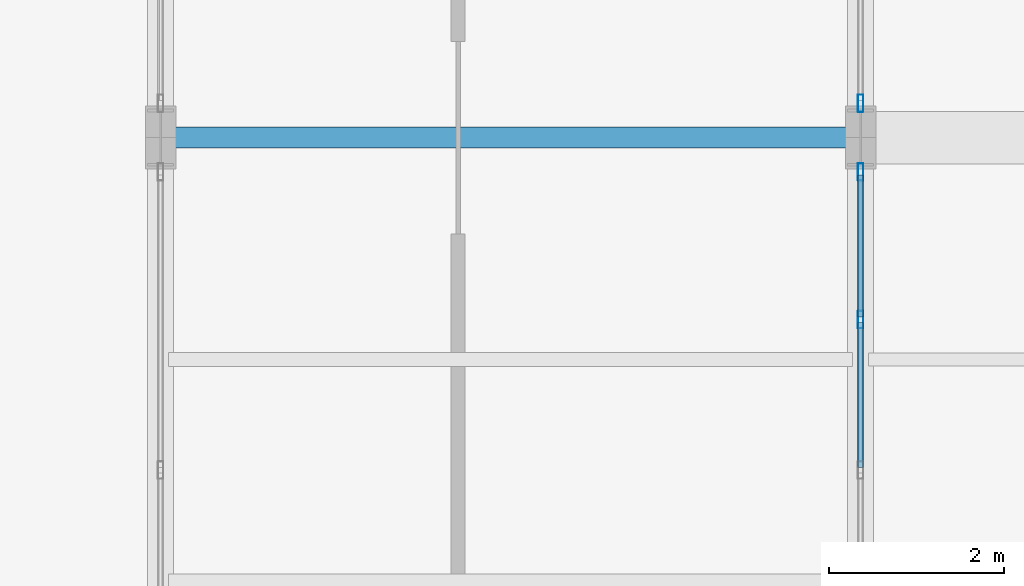
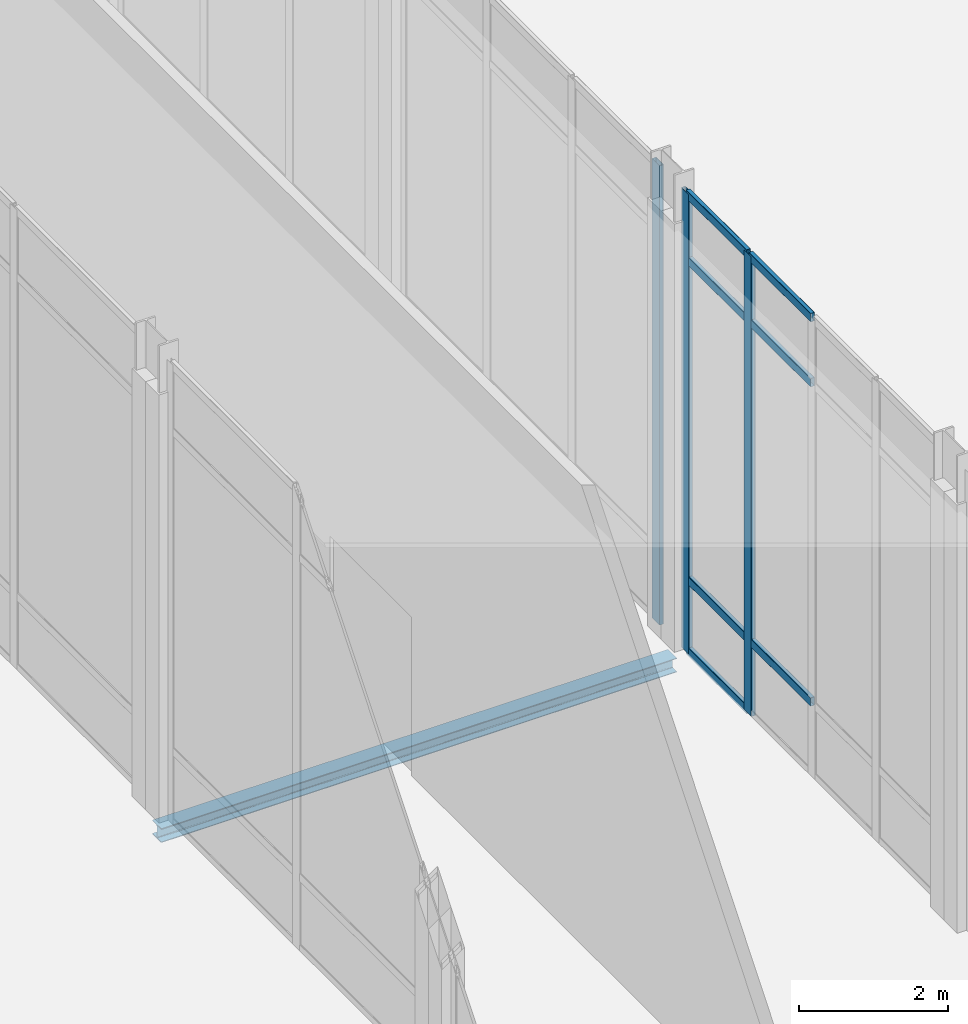
# One storey, part 71 of 176: 10 members, 1 beam, 2 elements without a shape of their own.
"""IFC4 building model written with IfcOpenShell, lengths in metres."""

from ifc_helpers import new_model, si_unit, direction, frame, origin, origin_2d, place, context, subcontext, project, spatial, hollow_rectangle, i_section, extrude, material, layer, layer_set, material_profile, profile_set, type_object, element, aggregate, save


model = new_model("IFC4")

# Units and contexts
model_context = context("Model", 3, precision=1e-05, world=origin(), true_north=direction((0.0, 1.0)))
body_context = subcontext(model_context, "Body", "Model", "MODEL_VIEW")
ifc_project = project(units=[si_unit("LENGTHUNIT", "METRE"), si_unit("AREAUNIT", "SQUARE_METRE"), si_unit("VOLUMEUNIT", "CUBIC_METRE"), si_unit("PLANEANGLEUNIT", "RADIAN"), si_unit("MASSUNIT", "GRAM", prefix="KILO")], contexts=[model_context])

# Site, building, storey
site_placement = place(None, origin())
site = spatial("IfcSite", under=ifc_project, at=site_placement, CompositionType="ELEMENT")
building_placement = place(site_placement, origin())
building = spatial("IfcBuilding", under=site, at=building_placement, Name="Vekula Escarpment Museum", CompositionType="ELEMENT")
storey_placement = place(building_placement, origin())
storey = spatial("IfcBuildingStorey", under=building, at=storey_placement, Name="L01", CompositionType="ELEMENT", Elevation=0.0)

# Beam
ifc_material_1 = material(Name="Steel S355", Category="steel")
ifc_material_profile_1 = material_profile(ifc_material_1, i_section(OverallWidth=0.239990234375, OverallDepth=0.22998046875, WebThickness=0.007568359375, FlangeThickness=0.011962890625, FilletRadius=0.02099609375, at=origin_2d()), Name="HEA 240")
ifc_profile_set_1 = profile_set([ifc_material_profile_1], Name="Steel S355")
beam_type = type_object("IfcBeamType", Name="BM-SPAN-HEA240", PredefinedType="SPANDREL", material=ifc_profile_set_1)
beam_placement = place(storey_placement, frame((94.0, 105.60009765625, -0.4150390625), z_axis=(1.0, 0.0, 0.0), x_axis=(0.0, 1.0, 0.0)))
element("IfcBeam", 1, at=beam_placement, inside=storey, type_object=beam_type, Name="Beam X L01 0296", PredefinedType="SPANDREL", context=body_context, shape_type="SweptSolid", body=[
    extrude(i_section(OverallWidth=0.239990234375, OverallDepth=0.22998046875, WebThickness=0.007568359375, FlangeThickness=0.011962890625, FilletRadius=0.02099609375, at=origin_2d()), origin(), (0.0, 0.0, 1.0), 8.0),
])

# Curtain wall, members
ifc_material_2 = material(Name="Aluminium thermally broken framing", Category="aluminium")
ifc_layer_1 = layer(ifc_material_2, 0.14990234375)
ifc_layer_set_1 = layer_set([ifc_layer_1], Name="Aluminium thermally broken framing")
curtain_wall_type_1 = type_object("IfcCurtainWallType", Name="CW-SYS-09", PredefinedType="NOTDEFINED", material=ifc_layer_set_1)
curtain_wall_1_placement = place(storey_placement, origin())
curtain_wall_1 = element("IfcCurtainWall", 2, at=curtain_wall_1_placement, inside=storey, type_object=curtain_wall_type_1, Name="Curtain Wall CW-L01-029", PredefinedType="NOTDEFINED")
ifc_material_3 = material(Name="Aluminium anodized mullion", Category="aluminium")
ifc_material_profile_2 = material_profile(ifc_material_3, hollow_rectangle(XDim=0.06494140625, YDim=0.199951171875, WallThickness=0.00390625, InnerFilletRadius=0.00390625, OuterFilletRadius=0.008056640625, at=origin_2d()), Name="ALU 200x65x4")
ifc_profile_set_2 = profile_set([ifc_material_profile_2], Name="Aluminium anodized mullion")
member_type_1 = type_object("IfcMemberType", Name="CW-MUL-200", PredefinedType="MULLION", material=ifc_profile_set_2)
member_1_placement = place(storey_placement, frame((102.0, 103.52001953125, 0.0), z_axis=(0.0, 0.0, 1.0), x_axis=(-1.0, 0.0, 0.0)))
member_1 = element("IfcMember", 3, at=member_1_placement, type_object=member_type_1, Name="CW-09 mullion 4", PredefinedType="MULLION", context=body_context, shape_type="SweptSolid", body=[
    extrude(hollow_rectangle(XDim=0.06494140625, YDim=0.199951171875, WallThickness=0.00390625, InnerFilletRadius=0.00390625, OuterFilletRadius=0.008056640625, at=origin_2d()), origin(), (0.0, 0.0, 1.0), 7.5400390625),
])
member_2_placement = place(storey_placement, frame((102.0, 105.20751953125, 0.0), z_axis=(0.0, 0.0, 1.0), x_axis=(-1.0, 0.0, 0.0)))
member_2 = element("IfcMember", 4, at=member_2_placement, type_object=member_type_1, Name="CW-09 mullion 5", PredefinedType="MULLION", context=body_context, shape_type="SweptSolid", body=[
    extrude(hollow_rectangle(XDim=0.06494140625, YDim=0.199951171875, WallThickness=0.00390625, InnerFilletRadius=0.00390625, OuterFilletRadius=0.008056640625, at=origin_2d()), origin(), (0.0, 0.0, 1.0), 7.5400390625),
])

# Curtain wall, member
ifc_material_4 = material(Name="Aluminium thermally broken framing", Category="aluminium")
ifc_layer_2 = layer(ifc_material_4, 0.169921875)
ifc_layer_set_2 = layer_set([ifc_layer_2], Name="Aluminium thermally broken framing")
curtain_wall_type_2 = type_object("IfcCurtainWallType", Name="CW-SYS-10", PredefinedType="NOTDEFINED", material=ifc_layer_set_2)
curtain_wall_2_placement = place(storey_placement, origin())
curtain_wall_2 = element("IfcCurtainWall", 5, at=curtain_wall_2_placement, inside=storey, type_object=curtain_wall_type_2, Name="Curtain Wall CW-L01-030", PredefinedType="NOTDEFINED")
member_3_placement = place(storey_placement, frame((102.0, 105.992431640625, 0.0), z_axis=(0.0, 0.0, 1.0), x_axis=(-1.0, 0.0, 0.0)))
member_3 = element("IfcMember", 6, at=member_3_placement, type_object=member_type_1, Name="CW-10 mullion 1", PredefinedType="MULLION", context=body_context, shape_type="SweptSolid", body=[
    extrude(hollow_rectangle(XDim=0.06494140625, YDim=0.199951171875, WallThickness=0.00390625, InnerFilletRadius=0.00390625, OuterFilletRadius=0.008056640625, at=origin_2d()), origin(), (0.0, 0.0, 1.0), 7.5400390625),
])
aggregate(curtain_wall_2, [member_3])

# Member
ifc_material_5 = material(Name="Aluminium anodized transom", Category="aluminium")
ifc_material_profile_3 = material_profile(ifc_material_5, hollow_rectangle(XDim=0.06494140625, YDim=0.139892578125, WallThickness=0.00390625, InnerFilletRadius=0.00390625, OuterFilletRadius=0.008056640625, at=origin_2d()), Name="ALU 140x65x4")
ifc_profile_set_3 = profile_set([ifc_material_profile_3], Name="Aluminium anodized transom")
member_type_2 = type_object("IfcMemberType", Name="CW-TRN-140", PredefinedType="USERDEFINED", material=ifc_profile_set_3)
member_4_placement = place(storey_placement, frame((102.0, 101.83251953125, 1.199951171875), z_axis=(0.0, 1.0, 0.0), x_axis=(-1.0, 0.0, 0.0)))
member_4 = element("IfcMember", 7, at=member_4_placement, type_object=member_type_2, Name="CW-09 transom 3.2", ObjectType="TRANSOM", PredefinedType="USERDEFINED", context=body_context, shape_type="SweptSolid", body=[
    extrude(hollow_rectangle(XDim=0.06494140625, YDim=0.139892578125, WallThickness=0.00390625, InnerFilletRadius=0.00390625, OuterFilletRadius=0.008056640625, at=origin_2d()), origin(), (0.0, 0.0, 1.0), 1.655029296875),
])

member_5_placement = place(storey_placement, frame((102.0, 101.83251953125, 6.43994140625), z_axis=(0.0, 1.0, 0.0), x_axis=(-1.0, 0.0, 0.0)))
member_5 = element("IfcMember", 8, at=member_5_placement, type_object=member_type_2, Name="CW-09 transom 3.3", ObjectType="TRANSOM", PredefinedType="USERDEFINED", context=body_context, shape_type="SweptSolid", body=[
    extrude(hollow_rectangle(XDim=0.06494140625, YDim=0.139892578125, WallThickness=0.00390625, InnerFilletRadius=0.00390625, OuterFilletRadius=0.008056640625, at=origin_2d()), origin(), (0.0, 0.0, 1.0), 1.655029296875),
])

member_6_placement = place(storey_placement, frame((102.0, 101.83251953125, 7.507568359375), z_axis=(0.0, 1.0, 0.0), x_axis=(-1.0, 0.0, 0.0)))
member_6 = element("IfcMember", 9, at=member_6_placement, type_object=member_type_2, Name="CW-09 transom 3.4", ObjectType="TRANSOM", PredefinedType="USERDEFINED", context=body_context, shape_type="SweptSolid", body=[
    extrude(hollow_rectangle(XDim=0.06494140625, YDim=0.139892578125, WallThickness=0.00390625, InnerFilletRadius=0.00390625, OuterFilletRadius=0.008056640625, at=origin_2d()), origin(), (0.0, 0.0, 1.0), 1.655029296875),
])

member_7_placement = place(storey_placement, frame((102.0, 103.552490234375, 0.032470703125), z_axis=(0.0, 1.0, 0.0), x_axis=(-1.0, 0.0, 0.0)))
member_7 = element("IfcMember", 10, at=member_7_placement, type_object=member_type_2, Name="CW-09 transom 4.1", ObjectType="TRANSOM", PredefinedType="USERDEFINED", context=body_context, shape_type="SweptSolid", body=[
    extrude(hollow_rectangle(XDim=0.06494140625, YDim=0.139892578125, WallThickness=0.00390625, InnerFilletRadius=0.00390625, OuterFilletRadius=0.008056640625, at=origin_2d()), origin(), (0.0, 0.0, 1.0), 1.62255859375),
])

member_8_placement = place(storey_placement, frame((102.0, 103.552490234375, 1.199951171875), z_axis=(0.0, 1.0, 0.0), x_axis=(-1.0, 0.0, 0.0)))
member_8 = element("IfcMember", 11, at=member_8_placement, type_object=member_type_2, Name="CW-09 transom 4.2", ObjectType="TRANSOM", PredefinedType="USERDEFINED", context=body_context, shape_type="SweptSolid", body=[
    extrude(hollow_rectangle(XDim=0.06494140625, YDim=0.139892578125, WallThickness=0.00390625, InnerFilletRadius=0.00390625, OuterFilletRadius=0.008056640625, at=origin_2d()), origin(), (0.0, 0.0, 1.0), 1.62255859375),
])

member_9_placement = place(storey_placement, frame((102.0, 103.552490234375, 6.43994140625), z_axis=(0.0, 1.0, 0.0), x_axis=(-1.0, 0.0, 0.0)))
member_9 = element("IfcMember", 12, at=member_9_placement, type_object=member_type_2, Name="CW-09 transom 4.3", ObjectType="TRANSOM", PredefinedType="USERDEFINED", context=body_context, shape_type="SweptSolid", body=[
    extrude(hollow_rectangle(XDim=0.06494140625, YDim=0.139892578125, WallThickness=0.00390625, InnerFilletRadius=0.00390625, OuterFilletRadius=0.008056640625, at=origin_2d()), origin(), (0.0, 0.0, 1.0), 1.62255859375),
])

member_10_placement = place(storey_placement, frame((102.0, 103.552490234375, 7.507568359375), z_axis=(0.0, 1.0, 0.0), x_axis=(-1.0, 0.0, 0.0)))
member_10 = element("IfcMember", 13, at=member_10_placement, type_object=member_type_2, Name="CW-09 transom 4.4", ObjectType="TRANSOM", PredefinedType="USERDEFINED", context=body_context, shape_type="SweptSolid", body=[
    extrude(hollow_rectangle(XDim=0.06494140625, YDim=0.139892578125, WallThickness=0.00390625, InnerFilletRadius=0.00390625, OuterFilletRadius=0.008056640625, at=origin_2d()), origin(), (0.0, 0.0, 1.0), 1.62255859375),
])

aggregate(curtain_wall_1, [member_1, member_2, member_4, member_5, member_6, member_7, member_8, member_9, member_10])

save(model, "model.ifc")
